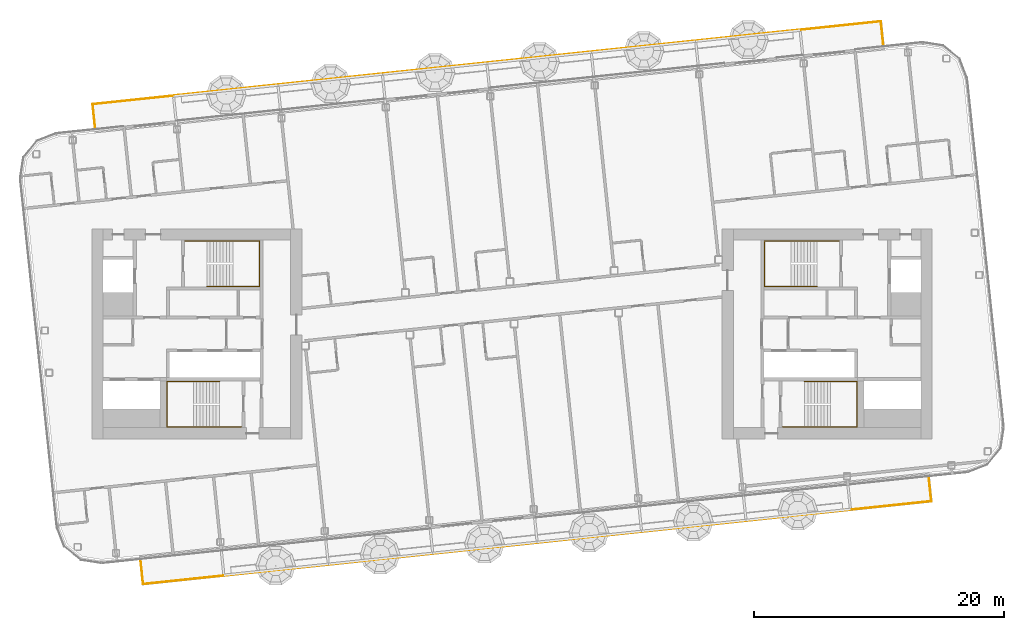
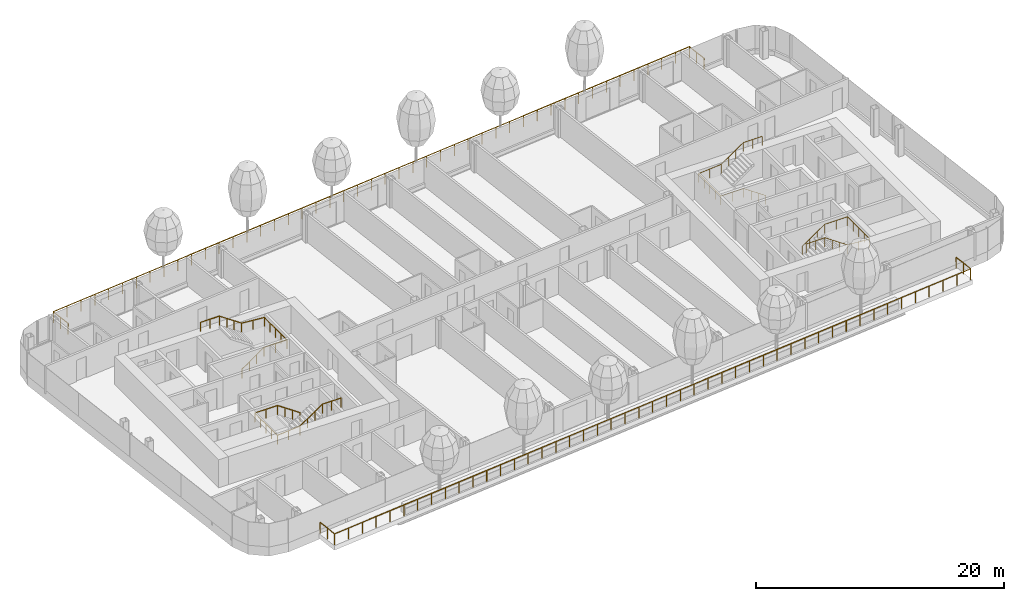
# One storey, part 26 of 30: 6 railings.
"""IFC4 building model written with IfcOpenShell, lengths in metres."""

from ifc_helpers import new_model, si_unit, direction, frame, origin, origin_2d, place, context, subcontext, project, spatial, circle, extrude, material, type_object, element, save


model = new_model("IFC4")

# Units and contexts
model_context = context("Model", 3, precision=1e-05, world=origin(), true_north=direction((0.0, 1.0)))
body_context = subcontext(model_context, "Body", "Model", "MODEL_VIEW")
ifc_project = project(units=[si_unit("LENGTHUNIT", "METRE"), si_unit("AREAUNIT", "SQUARE_METRE"), si_unit("VOLUMEUNIT", "CUBIC_METRE"), si_unit("PLANEANGLEUNIT", "RADIAN"), si_unit("MASSUNIT", "GRAM", prefix="KILO")], contexts=[model_context])

# Site, building, storey
site_placement = place(None, origin())
site = spatial("IfcSite", under=ifc_project, at=site_placement, CompositionType="ELEMENT")
building_placement = place(site_placement, origin())
building = spatial("IfcBuilding", under=site, at=building_placement, Name="Hakoniwa Tower and Hamabe Station Hall", CompositionType="ELEMENT")
storey_placement = place(building_placement, frame((0.0, 0.0, 245.39990234375)))
storey = spatial("IfcBuildingStorey", under=building, at=storey_placement, Name="L69", CompositionType="ELEMENT", Elevation=245.39990234375)

# Railings
ifc_material_1 = material(Name="Stainless steel and laminated glass", Category="steel")
railing_type_1 = type_object("IfcRailingType", Name="BALCONY BALUSTRADE 1100", PredefinedType="BALUSTRADE", material=ifc_material_1)
railing_1_placement = place(storey_placement, frame((-33.334716796875, 16.3916015625, 0.0)))
element("IfcRailing", 1, at=railing_1_placement, inside=storey, type_object=railing_type_1, Name="Balcony balustrade", PredefinedType="BALUSTRADE", context=body_context, shape_type="SweptSolid", body=[
    extrude(circle(Radius=0.02392578125, at=origin_2d()), frame((0.0, 0.0, 1.076171875), z_axis=(-0.104494148666, 0.99452550138, 0.0), x_axis=(-0.99452550138, -0.104494148666, 0.0)), (0.0, 0.0, 1.0), 2.0),
    extrude(circle(Radius=0.02392578125, at=origin_2d()), frame((-0.208984375, 1.989013671875, 1.076171875), z_axis=(0.994521751342, 0.104529833582, 0.0), x_axis=(-0.104529833582, 0.994521751342, 0.0)), (0.0, 0.0, 1.0), 63.400146484375),
    extrude(circle(Radius=0.02392578125, at=origin_2d()), frame((62.84375, 8.6162109375, 1.076171875), z_axis=(0.104494148666, -0.99452550138, 0.0), x_axis=(0.99452550138, 0.104494148666, 0.0)), (0.0, 0.0, 1.0), 2.0),
    extrude(circle(Radius=0.02099609375, at=origin_2d()), origin(), (0.0, 0.0, 1.0), 1.052001953125),
    extrude(circle(Radius=0.02099609375, at=origin_2d()), frame((-0.1044921875, 0.99462890625, 0.0)), (0.0, 0.0, 1.0), 1.052001953125),
    extrude(circle(Radius=0.02099609375, at=origin_2d()), frame((-0.208984375, 1.989013671875, 0.0)), (0.0, 0.0, 1.0), 1.052001953125),
    extrude(circle(Radius=0.02099609375, at=origin_2d()), frame((1.16162109375, 2.133056640625, 0.0)), (0.0, 0.0, 1.0), 1.052001953125),
    extrude(circle(Radius=0.02099609375, at=origin_2d()), frame((2.532470703125, 2.277099609375, 0.0)), (0.0, 0.0, 1.0), 1.052001953125),
    extrude(circle(Radius=0.02099609375, at=origin_2d()), frame((3.903076171875, 2.421142578125, 0.0)), (0.0, 0.0, 1.0), 1.052001953125),
    extrude(circle(Radius=0.02099609375, at=origin_2d()), frame((5.27392578125, 2.565185546875, 0.0)), (0.0, 0.0, 1.0), 1.052001953125),
    extrude(circle(Radius=0.02099609375, at=origin_2d()), frame((6.64453125, 2.70947265625, 0.0)), (0.0, 0.0, 1.0), 1.052001953125),
    extrude(circle(Radius=0.02099609375, at=origin_2d()), frame((8.015380859375, 2.853515625, 0.0)), (0.0, 0.0, 1.0), 1.052001953125),
    extrude(circle(Radius=0.02099609375, at=origin_2d()), frame((9.385986328125, 2.99755859375, 0.0)), (0.0, 0.0, 1.0), 1.052001953125),
    extrude(circle(Radius=0.02099609375, at=origin_2d()), frame((10.756591796875, 3.1416015625, 0.0)), (0.0, 0.0, 1.0), 1.052001953125),
    extrude(circle(Radius=0.02099609375, at=origin_2d()), frame((12.12744140625, 3.28564453125, 0.0)), (0.0, 0.0, 1.0), 1.052001953125),
    extrude(circle(Radius=0.02099609375, at=origin_2d()), frame((13.498046875, 3.4296875, 0.0)), (0.0, 0.0, 1.0), 1.052001953125),
    extrude(circle(Radius=0.02099609375, at=origin_2d()), frame((14.868896484375, 3.57373046875, 0.0)), (0.0, 0.0, 1.0), 1.052001953125),
    extrude(circle(Radius=0.02099609375, at=origin_2d()), frame((16.239501953125, 3.7177734375, 0.0)), (0.0, 0.0, 1.0), 1.052001953125),
    extrude(circle(Radius=0.02099609375, at=origin_2d()), frame((17.6103515625, 3.86181640625, 0.0)), (0.0, 0.0, 1.0), 1.052001953125),
    extrude(circle(Radius=0.02099609375, at=origin_2d()), frame((18.98095703125, 4.006103515625, 0.0)), (0.0, 0.0, 1.0), 1.052001953125),
    extrude(circle(Radius=0.02099609375, at=origin_2d()), frame((20.351806640625, 4.150146484375, 0.0)), (0.0, 0.0, 1.0), 1.052001953125),
    extrude(circle(Radius=0.02099609375, at=origin_2d()), frame((21.722412109375, 4.294189453125, 0.0)), (0.0, 0.0, 1.0), 1.052001953125),
    extrude(circle(Radius=0.02099609375, at=origin_2d()), frame((23.093017578125, 4.438232421875, 0.0)), (0.0, 0.0, 1.0), 1.052001953125),
    extrude(circle(Radius=0.02099609375, at=origin_2d()), frame((24.4638671875, 4.582275390625, 0.0)), (0.0, 0.0, 1.0), 1.052001953125),
    extrude(circle(Radius=0.02099609375, at=origin_2d()), frame((25.83447265625, 4.726318359375, 0.0)), (0.0, 0.0, 1.0), 1.052001953125),
    extrude(circle(Radius=0.02099609375, at=origin_2d()), frame((27.205322265625, 4.870361328125, 0.0)), (0.0, 0.0, 1.0), 1.052001953125),
    extrude(circle(Radius=0.02099609375, at=origin_2d()), frame((28.575927734375, 5.014404296875, 0.0)), (0.0, 0.0, 1.0), 1.052001953125),
    extrude(circle(Radius=0.02099609375, at=origin_2d()), frame((29.94677734375, 5.158447265625, 0.0)), (0.0, 0.0, 1.0), 1.052001953125),
    extrude(circle(Radius=0.02099609375, at=origin_2d()), frame((31.3173828125, 5.302734375, 0.0)), (0.0, 0.0, 1.0), 1.052001953125),
    extrude(circle(Radius=0.02099609375, at=origin_2d()), frame((32.68798828125, 5.44677734375, 0.0)), (0.0, 0.0, 1.0), 1.052001953125),
    extrude(circle(Radius=0.02099609375, at=origin_2d()), frame((34.058837890625, 5.5908203125, 0.0)), (0.0, 0.0, 1.0), 1.052001953125),
    extrude(circle(Radius=0.02099609375, at=origin_2d()), frame((35.429443359375, 5.73486328125, 0.0)), (0.0, 0.0, 1.0), 1.052001953125),
    extrude(circle(Radius=0.02099609375, at=origin_2d()), frame((36.80029296875, 5.87890625, 0.0)), (0.0, 0.0, 1.0), 1.052001953125),
    extrude(circle(Radius=0.02099609375, at=origin_2d()), frame((38.1708984375, 6.02294921875, 0.0)), (0.0, 0.0, 1.0), 1.052001953125),
    extrude(circle(Radius=0.02099609375, at=origin_2d()), frame((39.541748046875, 6.1669921875, 0.0)), (0.0, 0.0, 1.0), 1.052001953125),
    extrude(circle(Radius=0.02099609375, at=origin_2d()), frame((40.912353515625, 6.31103515625, 0.0)), (0.0, 0.0, 1.0), 1.052001953125),
    extrude(circle(Radius=0.02099609375, at=origin_2d()), frame((42.282958984375, 6.455078125, 0.0)), (0.0, 0.0, 1.0), 1.052001953125),
    extrude(circle(Radius=0.02099609375, at=origin_2d()), frame((43.65380859375, 6.59912109375, 0.0)), (0.0, 0.0, 1.0), 1.052001953125),
    extrude(circle(Radius=0.02099609375, at=origin_2d()), frame((45.0244140625, 6.743408203125, 0.0)), (0.0, 0.0, 1.0), 1.052001953125),
    extrude(circle(Radius=0.02099609375, at=origin_2d()), frame((46.395263671875, 6.887451171875, 0.0)), (0.0, 0.0, 1.0), 1.052001953125),
    extrude(circle(Radius=0.02099609375, at=origin_2d()), frame((47.765869140625, 7.031494140625, 0.0)), (0.0, 0.0, 1.0), 1.052001953125),
    extrude(circle(Radius=0.02099609375, at=origin_2d()), frame((49.13671875, 7.175537109375, 0.0)), (0.0, 0.0, 1.0), 1.052001953125),
    extrude(circle(Radius=0.02099609375, at=origin_2d()), frame((50.50732421875, 7.319580078125, 0.0)), (0.0, 0.0, 1.0), 1.052001953125),
    extrude(circle(Radius=0.02099609375, at=origin_2d()), frame((51.878173828125, 7.463623046875, 0.0)), (0.0, 0.0, 1.0), 1.052001953125),
    extrude(circle(Radius=0.02099609375, at=origin_2d()), frame((53.248779296875, 7.607666015625, 0.0)), (0.0, 0.0, 1.0), 1.052001953125),
    extrude(circle(Radius=0.02099609375, at=origin_2d()), frame((54.619384765625, 7.751708984375, 0.0)), (0.0, 0.0, 1.0), 1.052001953125),
    extrude(circle(Radius=0.02099609375, at=origin_2d()), frame((55.990234375, 7.895751953125, 0.0)), (0.0, 0.0, 1.0), 1.052001953125),
    extrude(circle(Radius=0.02099609375, at=origin_2d()), frame((57.36083984375, 8.0400390625, 0.0)), (0.0, 0.0, 1.0), 1.052001953125),
    extrude(circle(Radius=0.02099609375, at=origin_2d()), frame((58.731689453125, 8.18408203125, 0.0)), (0.0, 0.0, 1.0), 1.052001953125),
    extrude(circle(Radius=0.02099609375, at=origin_2d()), frame((60.102294921875, 8.328125, 0.0)), (0.0, 0.0, 1.0), 1.052001953125),
    extrude(circle(Radius=0.02099609375, at=origin_2d()), frame((61.47314453125, 8.47216796875, 0.0)), (0.0, 0.0, 1.0), 1.052001953125),
    extrude(circle(Radius=0.02099609375, at=origin_2d()), frame((62.84375, 8.6162109375, 0.0)), (0.0, 0.0, 1.0), 1.052001953125),
    extrude(circle(Radius=0.02099609375, at=origin_2d()), frame((62.9482421875, 7.62158203125, 0.0)), (0.0, 0.0, 1.0), 1.052001953125),
    extrude(circle(Radius=0.02099609375, at=origin_2d()), frame((63.052734375, 6.627197265625, 0.0)), (0.0, 0.0, 1.0), 1.052001953125),
])
railing_2_placement = place(storey_placement, frame((-29.718017578125, -18.018798828125, 0.0)))
element("IfcRailing", 2, at=railing_2_placement, inside=storey, type_object=railing_type_1, Name="Balcony balustrade", PredefinedType="BALUSTRADE", context=body_context, shape_type="SweptSolid", body=[
    extrude(circle(Radius=0.02392578125, at=origin_2d()), frame((0.0, 0.0, 1.076171875), z_axis=(0.104494148666, -0.99452550138, 0.0), x_axis=(0.99452550138, 0.104494148666, 0.0)), (0.0, 0.0, 1.0), 2.0),
    extrude(circle(Radius=0.02392578125, at=origin_2d()), frame((0.208984375, -1.989013671875, 1.076171875), z_axis=(0.994521751342, 0.104529833582, 0.0), x_axis=(-0.104529833582, 0.994521751342, 0.0)), (0.0, 0.0, 1.0), 63.400146484375),
    extrude(circle(Radius=0.02392578125, at=origin_2d()), frame((63.26171875, 4.63818359375, 1.076171875), z_axis=(-0.104494148666, 0.99452550138, 0.0), x_axis=(-0.99452550138, -0.104494148666, 0.0)), (0.0, 0.0, 1.0), 2.0),
    extrude(circle(Radius=0.02099609375, at=origin_2d()), origin(), (0.0, 0.0, 1.0), 1.052001953125),
    extrude(circle(Radius=0.02099609375, at=origin_2d()), frame((0.1044921875, -0.99462890625, 0.0)), (0.0, 0.0, 1.0), 1.052001953125),
    extrude(circle(Radius=0.02099609375, at=origin_2d()), frame((0.208984375, -1.989013671875, 0.0)), (0.0, 0.0, 1.0), 1.052001953125),
    extrude(circle(Radius=0.02099609375, at=origin_2d()), frame((1.57958984375, -1.844970703125, 0.0)), (0.0, 0.0, 1.0), 1.052001953125),
    extrude(circle(Radius=0.02099609375, at=origin_2d()), frame((2.950439453125, -1.700927734375, 0.0)), (0.0, 0.0, 1.0), 1.052001953125),
    extrude(circle(Radius=0.02099609375, at=origin_2d()), frame((4.321044921875, -1.556884765625, 0.0)), (0.0, 0.0, 1.0), 1.052001953125),
    extrude(circle(Radius=0.02099609375, at=origin_2d()), frame((5.69189453125, -1.412841796875, 0.0)), (0.0, 0.0, 1.0), 1.052001953125),
    extrude(circle(Radius=0.02099609375, at=origin_2d()), frame((7.0625, -1.2685546875, 0.0)), (0.0, 0.0, 1.0), 1.052001953125),
    extrude(circle(Radius=0.02099609375, at=origin_2d()), frame((8.433349609375, -1.12451171875, 0.0)), (0.0, 0.0, 1.0), 1.052001953125),
    extrude(circle(Radius=0.02099609375, at=origin_2d()), frame((9.803955078125, -0.98046875, 0.0)), (0.0, 0.0, 1.0), 1.052001953125),
    extrude(circle(Radius=0.02099609375, at=origin_2d()), frame((11.174560546875, -0.83642578125, 0.0)), (0.0, 0.0, 1.0), 1.052001953125),
    extrude(circle(Radius=0.02099609375, at=origin_2d()), frame((12.54541015625, -0.6923828125, 0.0)), (0.0, 0.0, 1.0), 1.052001953125),
    extrude(circle(Radius=0.02099609375, at=origin_2d()), frame((13.916015625, -0.54833984375, 0.0)), (0.0, 0.0, 1.0), 1.052001953125),
    extrude(circle(Radius=0.02099609375, at=origin_2d()), frame((15.286865234375, -0.404296875, 0.0)), (0.0, 0.0, 1.0), 1.052001953125),
    extrude(circle(Radius=0.02099609375, at=origin_2d()), frame((16.657470703125, -0.26025390625, 0.0)), (0.0, 0.0, 1.0), 1.052001953125),
    extrude(circle(Radius=0.02099609375, at=origin_2d()), frame((18.0283203125, -0.1162109375, 0.0)), (0.0, 0.0, 1.0), 1.052001953125),
    extrude(circle(Radius=0.02099609375, at=origin_2d()), frame((19.39892578125, 0.028076171875, 0.0)), (0.0, 0.0, 1.0), 1.052001953125),
    extrude(circle(Radius=0.02099609375, at=origin_2d()), frame((20.769775390625, 0.172119140625, 0.0)), (0.0, 0.0, 1.0), 1.052001953125),
    extrude(circle(Radius=0.02099609375, at=origin_2d()), frame((22.140380859375, 0.316162109375, 0.0)), (0.0, 0.0, 1.0), 1.052001953125),
    extrude(circle(Radius=0.02099609375, at=origin_2d()), frame((23.510986328125, 0.460205078125, 0.0)), (0.0, 0.0, 1.0), 1.052001953125),
    extrude(circle(Radius=0.02099609375, at=origin_2d()), frame((24.8818359375, 0.604248046875, 0.0)), (0.0, 0.0, 1.0), 1.052001953125),
    extrude(circle(Radius=0.02099609375, at=origin_2d()), frame((26.25244140625, 0.748291015625, 0.0)), (0.0, 0.0, 1.0), 1.052001953125),
    extrude(circle(Radius=0.02099609375, at=origin_2d()), frame((27.623291015625, 0.892333984375, 0.0)), (0.0, 0.0, 1.0), 1.052001953125),
    extrude(circle(Radius=0.02099609375, at=origin_2d()), frame((28.993896484375, 1.036376953125, 0.0)), (0.0, 0.0, 1.0), 1.052001953125),
    extrude(circle(Radius=0.02099609375, at=origin_2d()), frame((30.36474609375, 1.180419921875, 0.0)), (0.0, 0.0, 1.0), 1.052001953125),
    extrude(circle(Radius=0.02099609375, at=origin_2d()), frame((31.7353515625, 1.32470703125, 0.0)), (0.0, 0.0, 1.0), 1.052001953125),
    extrude(circle(Radius=0.02099609375, at=origin_2d()), frame((33.10595703125, 1.46875, 0.0)), (0.0, 0.0, 1.0), 1.052001953125),
    extrude(circle(Radius=0.02099609375, at=origin_2d()), frame((34.476806640625, 1.61279296875, 0.0)), (0.0, 0.0, 1.0), 1.052001953125),
    extrude(circle(Radius=0.02099609375, at=origin_2d()), frame((35.847412109375, 1.7568359375, 0.0)), (0.0, 0.0, 1.0), 1.052001953125),
    extrude(circle(Radius=0.02099609375, at=origin_2d()), frame((37.21826171875, 1.90087890625, 0.0)), (0.0, 0.0, 1.0), 1.052001953125),
    extrude(circle(Radius=0.02099609375, at=origin_2d()), frame((38.5888671875, 2.044921875, 0.0)), (0.0, 0.0, 1.0), 1.052001953125),
    extrude(circle(Radius=0.02099609375, at=origin_2d()), frame((39.959716796875, 2.18896484375, 0.0)), (0.0, 0.0, 1.0), 1.052001953125),
    extrude(circle(Radius=0.02099609375, at=origin_2d()), frame((41.330322265625, 2.3330078125, 0.0)), (0.0, 0.0, 1.0), 1.052001953125),
    extrude(circle(Radius=0.02099609375, at=origin_2d()), frame((42.700927734375, 2.47705078125, 0.0)), (0.0, 0.0, 1.0), 1.052001953125),
    extrude(circle(Radius=0.02099609375, at=origin_2d()), frame((44.07177734375, 2.62109375, 0.0)), (0.0, 0.0, 1.0), 1.052001953125),
    extrude(circle(Radius=0.02099609375, at=origin_2d()), frame((45.4423828125, 2.765380859375, 0.0)), (0.0, 0.0, 1.0), 1.052001953125),
    extrude(circle(Radius=0.02099609375, at=origin_2d()), frame((46.813232421875, 2.909423828125, 0.0)), (0.0, 0.0, 1.0), 1.052001953125),
    extrude(circle(Radius=0.02099609375, at=origin_2d()), frame((48.183837890625, 3.053466796875, 0.0)), (0.0, 0.0, 1.0), 1.052001953125),
    extrude(circle(Radius=0.02099609375, at=origin_2d()), frame((49.5546875, 3.197509765625, 0.0)), (0.0, 0.0, 1.0), 1.052001953125),
    extrude(circle(Radius=0.02099609375, at=origin_2d()), frame((50.92529296875, 3.341552734375, 0.0)), (0.0, 0.0, 1.0), 1.052001953125),
    extrude(circle(Radius=0.02099609375, at=origin_2d()), frame((52.296142578125, 3.485595703125, 0.0)), (0.0, 0.0, 1.0), 1.052001953125),
    extrude(circle(Radius=0.02099609375, at=origin_2d()), frame((53.666748046875, 3.629638671875, 0.0)), (0.0, 0.0, 1.0), 1.052001953125),
    extrude(circle(Radius=0.02099609375, at=origin_2d()), frame((55.037353515625, 3.773681640625, 0.0)), (0.0, 0.0, 1.0), 1.052001953125),
    extrude(circle(Radius=0.02099609375, at=origin_2d()), frame((56.408203125, 3.917724609375, 0.0)), (0.0, 0.0, 1.0), 1.052001953125),
    extrude(circle(Radius=0.02099609375, at=origin_2d()), frame((57.77880859375, 4.06201171875, 0.0)), (0.0, 0.0, 1.0), 1.052001953125),
    extrude(circle(Radius=0.02099609375, at=origin_2d()), frame((59.149658203125, 4.2060546875, 0.0)), (0.0, 0.0, 1.0), 1.052001953125),
    extrude(circle(Radius=0.02099609375, at=origin_2d()), frame((60.520263671875, 4.35009765625, 0.0)), (0.0, 0.0, 1.0), 1.052001953125),
    extrude(circle(Radius=0.02099609375, at=origin_2d()), frame((61.89111328125, 4.494140625, 0.0)), (0.0, 0.0, 1.0), 1.052001953125),
    extrude(circle(Radius=0.02099609375, at=origin_2d()), frame((63.26171875, 4.63818359375, 0.0)), (0.0, 0.0, 1.0), 1.052001953125),
    extrude(circle(Radius=0.02099609375, at=origin_2d()), frame((63.1572265625, 5.6328125, 0.0)), (0.0, 0.0, 1.0), 1.052001953125),
    extrude(circle(Radius=0.02099609375, at=origin_2d()), frame((63.052734375, 6.627197265625, 0.0)), (0.0, 0.0, 1.0), 1.052001953125),
])
ifc_material_2 = material(Name="Stainless steel SUS304", Category="steel")
railing_type_2 = type_object("IfcRailingType", Name="STAIR HANDRAIL 900", PredefinedType="HANDRAIL", material=ifc_material_2)
railing_3_placement = place(storey_placement, frame((-24.39990234375, 3.81005859375, 0.177978515625)))
element("IfcRailing", 3, at=railing_3_placement, inside=storey, type_object=railing_type_2, Name="Handrail ST-1 L69 1", PredefinedType="HANDRAIL", context=body_context, shape_type="SweptSolid", body=[
    extrude(circle(Radius=0.02392578125, at=origin_2d()), frame((0.0, 0.0, 0.8759765625), z_axis=(0.825478349766, 0.0, 0.564433781827), x_axis=(0.0, 1.0, 0.0)), (0.0, 0.0, 1.0), 2.51953125),
    extrude(circle(Radius=0.02392578125, at=origin_2d()), frame((2.079833984375, 0.0, 2.2978515625), z_axis=(1.0, 0.0, 0.0), x_axis=(0.0, 1.0, 0.0)), (0.0, 0.0, 1.0), 2.110107421875),
    extrude(circle(Radius=0.02392578125, at=origin_2d()), frame((4.18994140625, 0.0, 2.2978515625), z_axis=(0.0, 1.0, 0.0), x_axis=(-1.0, 0.0, 0.0)), (0.0, 0.0, 1.0), 3.6298828125),
    extrude(circle(Radius=0.02392578125, at=origin_2d()), frame((4.18994140625, 3.6298828125, 2.2978515625), z_axis=(-0.996471417081, 0.0, 0.083932800143), x_axis=(0.0, -1.0, 0.0)), (0.0, 0.0, 1.0), 2.11767578125),
    extrude(circle(Radius=0.02392578125, at=origin_2d()), frame((2.079833984375, 3.6298828125, 2.4755859375), z_axis=(-0.825433201882, 0.0, 0.564499804456), x_axis=(0.0, -1.0, 0.0)), (0.0, 0.0, 1.0), 2.519775390625),
    extrude(circle(Radius=0.02392578125, at=origin_2d()), frame((0.0, 3.6298828125, 3.89794921875), z_axis=(-1.0, 0.0, 0.0), x_axis=(0.0, -1.0, 0.0)), (0.0, 0.0, 1.0), 1.739990234375),
    extrude(circle(Radius=0.02099609375, at=origin_2d()), origin(), (0.0, 0.0, 1.0), 0.851806640625),
    extrude(circle(Radius=0.02099609375, at=origin_2d()), frame((0.693359375, 0.0, 0.47412109375)), (0.0, 0.0, 1.0), 0.851806640625),
    extrude(circle(Radius=0.02099609375, at=origin_2d()), frame((1.386474609375, 0.0, 0.947998046875)), (0.0, 0.0, 1.0), 0.851806640625),
    extrude(circle(Radius=0.02099609375, at=origin_2d()), frame((2.079833984375, 0.0, 1.422119140625)), (0.0, 0.0, 1.0), 0.851806640625),
    extrude(circle(Radius=0.02099609375, at=origin_2d()), frame((3.134765625, 0.0, 1.422119140625)), (0.0, 0.0, 1.0), 0.851806640625),
    extrude(circle(Radius=0.02099609375, at=origin_2d()), frame((4.18994140625, 0.0, 1.422119140625)), (0.0, 0.0, 1.0), 0.851806640625),
    extrude(circle(Radius=0.02099609375, at=origin_2d()), frame((4.18994140625, 0.907470703125, 1.422119140625)), (0.0, 0.0, 1.0), 0.851806640625),
    extrude(circle(Radius=0.02099609375, at=origin_2d()), frame((4.18994140625, 1.81494140625, 1.422119140625)), (0.0, 0.0, 1.0), 0.851806640625),
    extrude(circle(Radius=0.02099609375, at=origin_2d()), frame((4.18994140625, 2.722412109375, 1.422119140625)), (0.0, 0.0, 1.0), 0.851806640625),
    extrude(circle(Radius=0.02099609375, at=origin_2d()), frame((4.18994140625, 3.6298828125, 1.422119140625)), (0.0, 0.0, 1.0), 0.851806640625),
    extrude(circle(Radius=0.02099609375, at=origin_2d()), frame((3.134765625, 3.6298828125, 1.510986328125)), (0.0, 0.0, 1.0), 0.851806640625),
    extrude(circle(Radius=0.02099609375, at=origin_2d()), frame((2.079833984375, 3.6298828125, 1.599853515625)), (0.0, 0.0, 1.0), 0.851806640625),
    extrude(circle(Radius=0.02099609375, at=origin_2d()), frame((1.386474609375, 3.6298828125, 2.073974609375)), (0.0, 0.0, 1.0), 0.851806640625),
    extrude(circle(Radius=0.02099609375, at=origin_2d()), frame((0.693359375, 3.6298828125, 2.548095703125)), (0.0, 0.0, 1.0), 0.851806640625),
    extrude(circle(Radius=0.02099609375, at=origin_2d()), frame((0.0, 3.6298828125, 3.022216796875)), (0.0, 0.0, 1.0), 0.851806640625),
    extrude(circle(Radius=0.02099609375, at=origin_2d()), frame((-0.8701171875, 3.6298828125, 3.022216796875)), (0.0, 0.0, 1.0), 0.851806640625),
    extrude(circle(Radius=0.02099609375, at=origin_2d()), frame((-1.739990234375, 3.6298828125, 3.022216796875)), (0.0, 0.0, 1.0), 0.851806640625),
])
railing_4_placement = place(storey_placement, frame((-23.39990234375, -3.81005859375, 0.177978515625)))
element("IfcRailing", 4, at=railing_4_placement, inside=storey, type_object=railing_type_2, Name="Handrail ST-2 L69 1", PredefinedType="HANDRAIL", context=body_context, shape_type="SweptSolid", body=[
    extrude(circle(Radius=0.02392578125, at=origin_2d()), frame((0.0, 0.0, 0.8759765625), z_axis=(-0.82550921652, 0.0, 0.564388636881), x_axis=(0.0, -1.0, 0.0)), (0.0, 0.0, 1.0), 2.519775390625),
    extrude(circle(Radius=0.02392578125, at=origin_2d()), frame((-2.080078125, 0.0, 2.2978515625), z_axis=(-1.0, 0.0, 0.0), x_axis=(0.0, -1.0, 0.0)), (0.0, 0.0, 1.0), 2.110107421875),
    extrude(circle(Radius=0.02392578125, at=origin_2d()), frame((-4.190185546875, 0.0, 2.2978515625), z_axis=(0.0, -1.0, 0.0), x_axis=(1.0, 0.0, 0.0)), (0.0, 0.0, 1.0), 3.6298828125),
    extrude(circle(Radius=0.02392578125, at=origin_2d()), frame((-4.190185546875, -3.6298828125, 2.2978515625), z_axis=(0.996471417081, 0.0, 0.083932800143), x_axis=(0.0, 1.0, 0.0)), (0.0, 0.0, 1.0), 2.11767578125),
    extrude(circle(Radius=0.02392578125, at=origin_2d()), frame((-2.080078125, -3.6298828125, 2.4755859375), z_axis=(0.825464074169, 0.0, 0.564454659168), x_axis=(0.0, 1.0, 0.0)), (0.0, 0.0, 1.0), 2.519775390625),
    extrude(circle(Radius=0.02392578125, at=origin_2d()), frame((0.0, -3.6298828125, 3.89794921875), z_axis=(1.0, 0.0, 0.0), x_axis=(0.0, 1.0, 0.0)), (0.0, 0.0, 1.0), 1.739990234375),
    extrude(circle(Radius=0.02099609375, at=origin_2d()), origin(), (0.0, 0.0, 1.0), 0.851806640625),
    extrude(circle(Radius=0.02099609375, at=origin_2d()), frame((-0.693359375, 0.0, 0.47412109375)), (0.0, 0.0, 1.0), 0.851806640625),
    extrude(circle(Radius=0.02099609375, at=origin_2d()), frame((-1.38671875, 0.0, 0.947998046875)), (0.0, 0.0, 1.0), 0.851806640625),
    extrude(circle(Radius=0.02099609375, at=origin_2d()), frame((-2.080078125, 0.0, 1.422119140625)), (0.0, 0.0, 1.0), 0.851806640625),
    extrude(circle(Radius=0.02099609375, at=origin_2d()), frame((-3.13525390625, 0.0, 1.422119140625)), (0.0, 0.0, 1.0), 0.851806640625),
    extrude(circle(Radius=0.02099609375, at=origin_2d()), frame((-4.190185546875, 0.0, 1.422119140625)), (0.0, 0.0, 1.0), 0.851806640625),
    extrude(circle(Radius=0.02099609375, at=origin_2d()), frame((-4.190185546875, -0.907470703125, 1.422119140625)), (0.0, 0.0, 1.0), 0.851806640625),
    extrude(circle(Radius=0.02099609375, at=origin_2d()), frame((-4.190185546875, -1.81494140625, 1.422119140625)), (0.0, 0.0, 1.0), 0.851806640625),
    extrude(circle(Radius=0.02099609375, at=origin_2d()), frame((-4.190185546875, -2.722412109375, 1.422119140625)), (0.0, 0.0, 1.0), 0.851806640625),
    extrude(circle(Radius=0.02099609375, at=origin_2d()), frame((-4.190185546875, -3.6298828125, 1.422119140625)), (0.0, 0.0, 1.0), 0.851806640625),
    extrude(circle(Radius=0.02099609375, at=origin_2d()), frame((-3.13525390625, -3.6298828125, 1.510986328125)), (0.0, 0.0, 1.0), 0.851806640625),
    extrude(circle(Radius=0.02099609375, at=origin_2d()), frame((-2.080078125, -3.6298828125, 1.599853515625)), (0.0, 0.0, 1.0), 0.851806640625),
    extrude(circle(Radius=0.02099609375, at=origin_2d()), frame((-1.38671875, -3.6298828125, 2.073974609375)), (0.0, 0.0, 1.0), 0.851806640625),
    extrude(circle(Radius=0.02099609375, at=origin_2d()), frame((-0.693359375, -3.6298828125, 2.548095703125)), (0.0, 0.0, 1.0), 0.851806640625),
    extrude(circle(Radius=0.02099609375, at=origin_2d()), frame((0.0, -3.6298828125, 3.022216796875)), (0.0, 0.0, 1.0), 0.851806640625),
    extrude(circle(Radius=0.02099609375, at=origin_2d()), frame((0.8701171875, -3.6298828125, 3.022216796875)), (0.0, 0.0, 1.0), 0.851806640625),
    extrude(circle(Radius=0.02099609375, at=origin_2d()), frame((1.739990234375, -3.6298828125, 3.022216796875)), (0.0, 0.0, 1.0), 0.851806640625),
])
railing_5_placement = place(storey_placement, frame((24.39990234375, 3.81005859375, 0.177978515625)))
element("IfcRailing", 5, at=railing_5_placement, inside=storey, type_object=railing_type_2, Name="Handrail ST-3 L69 1", PredefinedType="HANDRAIL", context=body_context, shape_type="SweptSolid", body=[
    extrude(circle(Radius=0.02392578125, at=origin_2d()), frame((0.0, 0.0, 0.8759765625), z_axis=(-0.825478349766, 0.0, 0.564433781827), x_axis=(0.0, -1.0, 0.0)), (0.0, 0.0, 1.0), 2.51953125),
    extrude(circle(Radius=0.02392578125, at=origin_2d()), frame((-2.079833984375, 0.0, 2.2978515625), z_axis=(-1.0, 0.0, 0.0), x_axis=(0.0, -1.0, 0.0)), (0.0, 0.0, 1.0), 2.110107421875),
    extrude(circle(Radius=0.02392578125, at=origin_2d()), frame((-4.18994140625, 0.0, 2.2978515625), z_axis=(0.0, 1.0, 0.0), x_axis=(-1.0, 0.0, 0.0)), (0.0, 0.0, 1.0), 3.6298828125),
    extrude(circle(Radius=0.02392578125, at=origin_2d()), frame((-4.18994140625, 3.6298828125, 2.2978515625), z_axis=(0.996471417081, 0.0, 0.083932800143), x_axis=(0.0, 1.0, 0.0)), (0.0, 0.0, 1.0), 2.11767578125),
    extrude(circle(Radius=0.02392578125, at=origin_2d()), frame((-2.079833984375, 3.6298828125, 2.4755859375), z_axis=(0.825433201882, 0.0, 0.564499804456), x_axis=(0.0, 1.0, 0.0)), (0.0, 0.0, 1.0), 2.519775390625),
    extrude(circle(Radius=0.02392578125, at=origin_2d()), frame((0.0, 3.6298828125, 3.89794921875), z_axis=(1.0, 0.0, 0.0), x_axis=(0.0, 1.0, 0.0)), (0.0, 0.0, 1.0), 1.739990234375),
    extrude(circle(Radius=0.02099609375, at=origin_2d()), origin(), (0.0, 0.0, 1.0), 0.851806640625),
    extrude(circle(Radius=0.02099609375, at=origin_2d()), frame((-0.693359375, 0.0, 0.47412109375)), (0.0, 0.0, 1.0), 0.851806640625),
    extrude(circle(Radius=0.02099609375, at=origin_2d()), frame((-1.386474609375, 0.0, 0.947998046875)), (0.0, 0.0, 1.0), 0.851806640625),
    extrude(circle(Radius=0.02099609375, at=origin_2d()), frame((-2.079833984375, 0.0, 1.422119140625)), (0.0, 0.0, 1.0), 0.851806640625),
    extrude(circle(Radius=0.02099609375, at=origin_2d()), frame((-3.134765625, 0.0, 1.422119140625)), (0.0, 0.0, 1.0), 0.851806640625),
    extrude(circle(Radius=0.02099609375, at=origin_2d()), frame((-4.18994140625, 0.0, 1.422119140625)), (0.0, 0.0, 1.0), 0.851806640625),
    extrude(circle(Radius=0.02099609375, at=origin_2d()), frame((-4.18994140625, 0.907470703125, 1.422119140625)), (0.0, 0.0, 1.0), 0.851806640625),
    extrude(circle(Radius=0.02099609375, at=origin_2d()), frame((-4.18994140625, 1.81494140625, 1.422119140625)), (0.0, 0.0, 1.0), 0.851806640625),
    extrude(circle(Radius=0.02099609375, at=origin_2d()), frame((-4.18994140625, 2.722412109375, 1.422119140625)), (0.0, 0.0, 1.0), 0.851806640625),
    extrude(circle(Radius=0.02099609375, at=origin_2d()), frame((-4.18994140625, 3.6298828125, 1.422119140625)), (0.0, 0.0, 1.0), 0.851806640625),
    extrude(circle(Radius=0.02099609375, at=origin_2d()), frame((-3.134765625, 3.6298828125, 1.510986328125)), (0.0, 0.0, 1.0), 0.851806640625),
    extrude(circle(Radius=0.02099609375, at=origin_2d()), frame((-2.079833984375, 3.6298828125, 1.599853515625)), (0.0, 0.0, 1.0), 0.851806640625),
    extrude(circle(Radius=0.02099609375, at=origin_2d()), frame((-1.386474609375, 3.6298828125, 2.073974609375)), (0.0, 0.0, 1.0), 0.851806640625),
    extrude(circle(Radius=0.02099609375, at=origin_2d()), frame((-0.693359375, 3.6298828125, 2.548095703125)), (0.0, 0.0, 1.0), 0.851806640625),
    extrude(circle(Radius=0.02099609375, at=origin_2d()), frame((0.0, 3.6298828125, 3.022216796875)), (0.0, 0.0, 1.0), 0.851806640625),
    extrude(circle(Radius=0.02099609375, at=origin_2d()), frame((0.8701171875, 3.6298828125, 3.022216796875)), (0.0, 0.0, 1.0), 0.851806640625),
    extrude(circle(Radius=0.02099609375, at=origin_2d()), frame((1.739990234375, 3.6298828125, 3.022216796875)), (0.0, 0.0, 1.0), 0.851806640625),
])
railing_6_placement = place(storey_placement, frame((23.39990234375, -3.81005859375, 0.177978515625)))
element("IfcRailing", 6, at=railing_6_placement, inside=storey, type_object=railing_type_2, Name="Handrail ST-4 L69 1", PredefinedType="HANDRAIL", context=body_context, shape_type="SweptSolid", body=[
    extrude(circle(Radius=0.02392578125, at=origin_2d()), frame((0.0, 0.0, 0.8759765625), z_axis=(0.82550921652, 0.0, 0.564388636881), x_axis=(0.0, 1.0, 0.0)), (0.0, 0.0, 1.0), 2.519775390625),
    extrude(circle(Radius=0.02392578125, at=origin_2d()), frame((2.080078125, 0.0, 2.2978515625), z_axis=(1.0, 0.0, 0.0), x_axis=(0.0, 1.0, 0.0)), (0.0, 0.0, 1.0), 2.110107421875),
    extrude(circle(Radius=0.02392578125, at=origin_2d()), frame((4.190185546875, 0.0, 2.2978515625), z_axis=(0.0, -1.0, 0.0), x_axis=(1.0, 0.0, 0.0)), (0.0, 0.0, 1.0), 3.6298828125),
    extrude(circle(Radius=0.02392578125, at=origin_2d()), frame((4.190185546875, -3.6298828125, 2.2978515625), z_axis=(-0.996471417081, 0.0, 0.083932800143), x_axis=(0.0, -1.0, 0.0)), (0.0, 0.0, 1.0), 2.11767578125),
    extrude(circle(Radius=0.02392578125, at=origin_2d()), frame((2.080078125, -3.6298828125, 2.4755859375), z_axis=(-0.825464074169, 0.0, 0.564454659168), x_axis=(0.0, -1.0, 0.0)), (0.0, 0.0, 1.0), 2.519775390625),
    extrude(circle(Radius=0.02392578125, at=origin_2d()), frame((0.0, -3.6298828125, 3.89794921875), z_axis=(-1.0, 0.0, 0.0), x_axis=(0.0, -1.0, 0.0)), (0.0, 0.0, 1.0), 1.739990234375),
    extrude(circle(Radius=0.02099609375, at=origin_2d()), origin(), (0.0, 0.0, 1.0), 0.851806640625),
    extrude(circle(Radius=0.02099609375, at=origin_2d()), frame((0.693359375, 0.0, 0.47412109375)), (0.0, 0.0, 1.0), 0.851806640625),
    extrude(circle(Radius=0.02099609375, at=origin_2d()), frame((1.38671875, 0.0, 0.947998046875)), (0.0, 0.0, 1.0), 0.851806640625),
    extrude(circle(Radius=0.02099609375, at=origin_2d()), frame((2.080078125, 0.0, 1.422119140625)), (0.0, 0.0, 1.0), 0.851806640625),
    extrude(circle(Radius=0.02099609375, at=origin_2d()), frame((3.13525390625, 0.0, 1.422119140625)), (0.0, 0.0, 1.0), 0.851806640625),
    extrude(circle(Radius=0.02099609375, at=origin_2d()), frame((4.190185546875, 0.0, 1.422119140625)), (0.0, 0.0, 1.0), 0.851806640625),
    extrude(circle(Radius=0.02099609375, at=origin_2d()), frame((4.190185546875, -0.907470703125, 1.422119140625)), (0.0, 0.0, 1.0), 0.851806640625),
    extrude(circle(Radius=0.02099609375, at=origin_2d()), frame((4.190185546875, -1.81494140625, 1.422119140625)), (0.0, 0.0, 1.0), 0.851806640625),
    extrude(circle(Radius=0.02099609375, at=origin_2d()), frame((4.190185546875, -2.722412109375, 1.422119140625)), (0.0, 0.0, 1.0), 0.851806640625),
    extrude(circle(Radius=0.02099609375, at=origin_2d()), frame((4.190185546875, -3.6298828125, 1.422119140625)), (0.0, 0.0, 1.0), 0.851806640625),
    extrude(circle(Radius=0.02099609375, at=origin_2d()), frame((3.13525390625, -3.6298828125, 1.510986328125)), (0.0, 0.0, 1.0), 0.851806640625),
    extrude(circle(Radius=0.02099609375, at=origin_2d()), frame((2.080078125, -3.6298828125, 1.599853515625)), (0.0, 0.0, 1.0), 0.851806640625),
    extrude(circle(Radius=0.02099609375, at=origin_2d()), frame((1.38671875, -3.6298828125, 2.073974609375)), (0.0, 0.0, 1.0), 0.851806640625),
    extrude(circle(Radius=0.02099609375, at=origin_2d()), frame((0.693359375, -3.6298828125, 2.548095703125)), (0.0, 0.0, 1.0), 0.851806640625),
    extrude(circle(Radius=0.02099609375, at=origin_2d()), frame((0.0, -3.6298828125, 3.022216796875)), (0.0, 0.0, 1.0), 0.851806640625),
    extrude(circle(Radius=0.02099609375, at=origin_2d()), frame((-0.8701171875, -3.6298828125, 3.022216796875)), (0.0, 0.0, 1.0), 0.851806640625),
    extrude(circle(Radius=0.02099609375, at=origin_2d()), frame((-1.739990234375, -3.6298828125, 3.022216796875)), (0.0, 0.0, 1.0), 0.851806640625),
])

save(model, "model.ifc")
